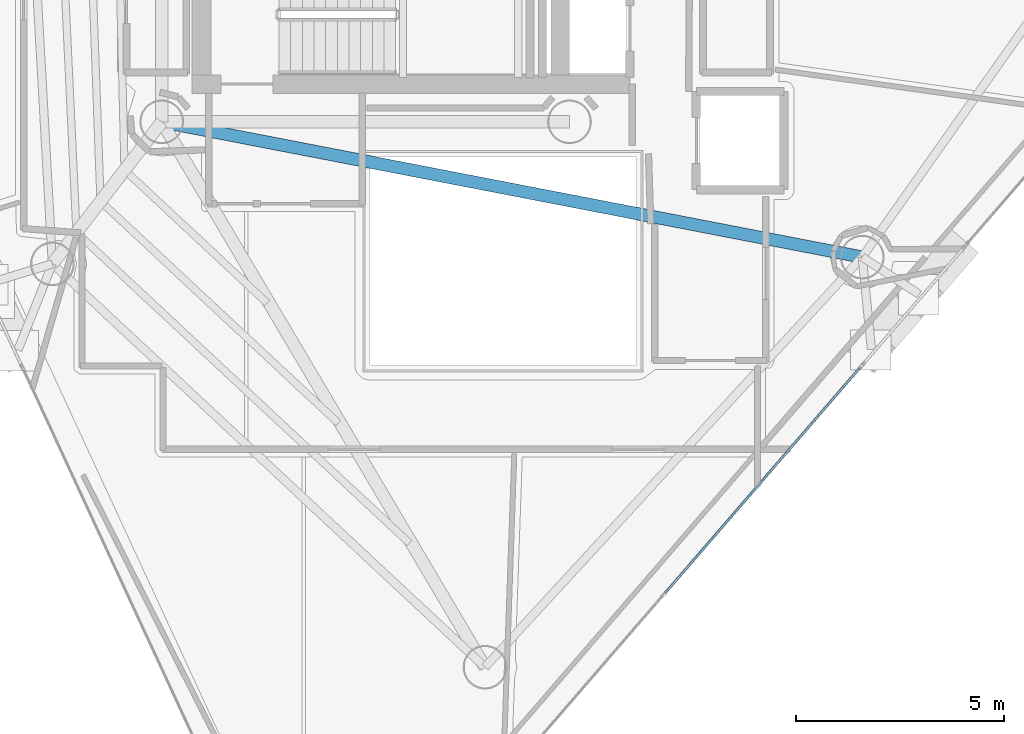
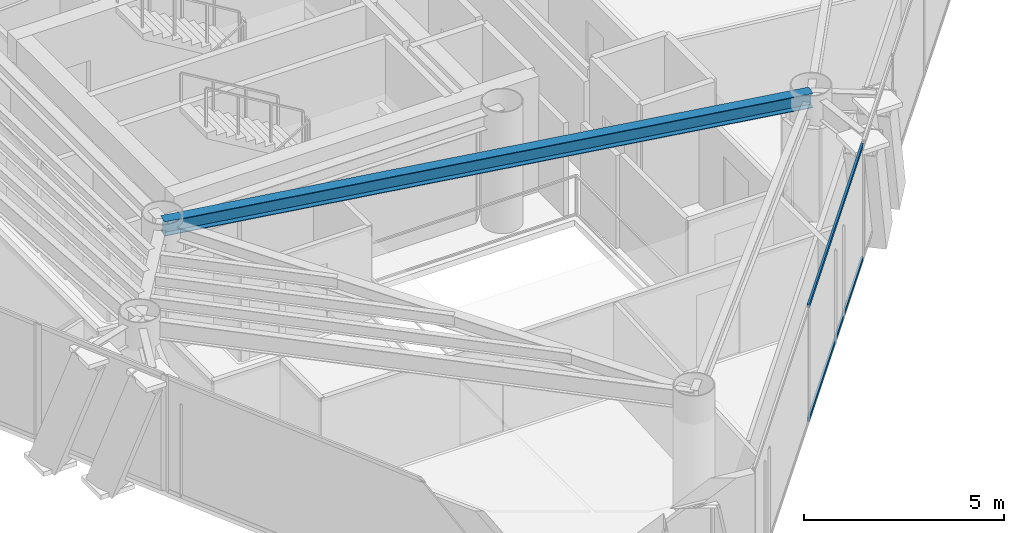
# One storey, part 5 of 21: 2 members, 1 beam, 1 element without a shape of its own.
"""IFC4 building model written with IfcOpenShell, lengths in metres."""

from ifc_helpers import new_model, si_unit, direction, frame, origin, origin_2d, place, context, subcontext, project, spatial, hollow_rectangle, i_section, extrude, material, layer, layer_set, material_profile, profile_set, type_object, element, aggregate, save


model = new_model("IFC4")

# Units and contexts
model_context = context("Model", 3, precision=1e-05, world=origin(), true_north=direction((0.0, 1.0)))
body_context = subcontext(model_context, "Body", "Model", "MODEL_VIEW")
ifc_project = project(units=[si_unit("LENGTHUNIT", "METRE"), si_unit("AREAUNIT", "SQUARE_METRE"), si_unit("VOLUMEUNIT", "CUBIC_METRE"), si_unit("PLANEANGLEUNIT", "RADIAN"), si_unit("MASSUNIT", "GRAM", prefix="KILO")], contexts=[model_context])

# Site, building, storey
site_placement = place(None, origin())
site = spatial("IfcSite", under=ifc_project, at=site_placement, CompositionType="ELEMENT")
building_placement = place(site_placement, origin())
building = spatial("IfcBuilding", under=site, at=building_placement, Name="Qianvela Tower", CompositionType="ELEMENT")
storey_placement = place(building_placement, frame((0.0, 0.0, 253.800048828125)))
storey = spatial("IfcBuildingStorey", under=building, at=storey_placement, Name="L65", CompositionType="ELEMENT", Elevation=253.800048828125)

# Beam
ifc_material_1 = material(Name="Steel Q355B", Category="steel")
ifc_material_profile_1 = material_profile(ifc_material_1, i_section(OverallWidth=0.300048828125, OverallDepth=0.43994140625, WebThickness=0.010986328125, FlangeThickness=0.01806640625, at=origin_2d()), Name="HM440x300x11x18")
ifc_profile_set_1 = profile_set([ifc_material_profile_1], Name="Steel Q355B")
beam_type = type_object("IfcBeamType", Name="BM-HM440-COLL", PredefinedType="BEAM", material=ifc_profile_set_1)
beam_placement = place(storey_placement, frame((28.60009765625, 23.85009765625, 3.2978515625), z_axis=(0.981849104236, -0.189663745904, 0.0), x_axis=(0.189663745904, 0.981849104236, 0.0)))
element("IfcBeam", 1, at=beam_placement, inside=storey, type_object=beam_type, Name="L65 Radial Primary Floor Girder 6", PredefinedType="BEAM", context=body_context, shape_type="SweptSolid", body=[
    extrude(i_section(OverallWidth=0.300048828125, OverallDepth=0.43994140625, WebThickness=0.010986328125, FlangeThickness=0.01806640625, at=origin_2d()), origin(), (0.0, 0.0, 1.0), 17.147216796875),
])

# Curtain wall, members
ifc_material_2 = material(Name="Anodised Architectural Aluminium and Low-E Glass", Category="aluminium")
ifc_layer = layer(ifc_material_2, 0.159912109375)
ifc_layer_set = layer_set([ifc_layer], Name="Anodised Architectural Aluminium and Low-E Glass")
curtain_wall_type = type_object("IfcCurtainWallType", Name="CW-COLIV-Z56", PredefinedType="USERDEFINED", material=ifc_layer_set)
curtain_wall_placement = place(storey_placement, origin())
curtain_wall = element("IfcCurtainWall", 2, at=curtain_wall_placement, inside=storey, type_object=curtain_wall_type, Name="L65 CW-COLIV-Z56 Curtain Wall 06A", ObjectType="CURTAIN_WALL_SYSTEM", PredefinedType="USERDEFINED")
ifc_material_3 = material(Name="Anodised Architectural Aluminium 6063-T6", Category="aluminium")
ifc_material_profile_2 = material_profile(ifc_material_3, hollow_rectangle(XDim=0.06005859375, YDim=0.114990234375, WallThickness=0.00390625, at=origin_2d()), Name="ALU-TRAN-60x115")
ifc_profile_set_2 = profile_set([ifc_material_profile_2], Name="Anodised Architectural Aluminium 6063-T6")
member_type = type_object("IfcMemberType", Name="CW-COLIV-Z56-TRAN", PredefinedType="USERDEFINED", material=ifc_profile_set_2)
member_1_placement = place(storey_placement, frame((40.694091796875, 12.51806640625, 0.030029296875), z_axis=(0.654035979815, 0.756463440694, 0.0), x_axis=(-0.756463440694, 0.654035979815, 0.0)))
member_1 = element("IfcMember", 3, at=member_1_placement, type_object=member_type, Name="CW-5 transom 2.1", ObjectType="TRANSOM", PredefinedType="USERDEFINED", context=body_context, shape_type="SweptSolid", body=[
    extrude(hollow_rectangle(XDim=0.06005859375, YDim=0.114990234375, WallThickness=0.00390625, at=origin_2d()), origin(), (0.0, 0.0, 1.0), 7.16259765625),
])
member_2_placement = place(storey_placement, frame((40.694091796875, 12.51806640625, 3.489990234375), z_axis=(0.654035979815, 0.756463440694, 0.0), x_axis=(-0.756463440694, 0.654035979815, 0.0)))
member_2 = element("IfcMember", 4, at=member_2_placement, type_object=member_type, Name="CW-5 transom 2.2", ObjectType="TRANSOM", PredefinedType="USERDEFINED", context=body_context, shape_type="SweptSolid", body=[
    extrude(hollow_rectangle(XDim=0.06005859375, YDim=0.114990234375, WallThickness=0.00390625, at=origin_2d()), origin(), (0.0, 0.0, 1.0), 7.16259765625),
])
aggregate(curtain_wall, [member_1, member_2])

save(model, "model.ifc")
